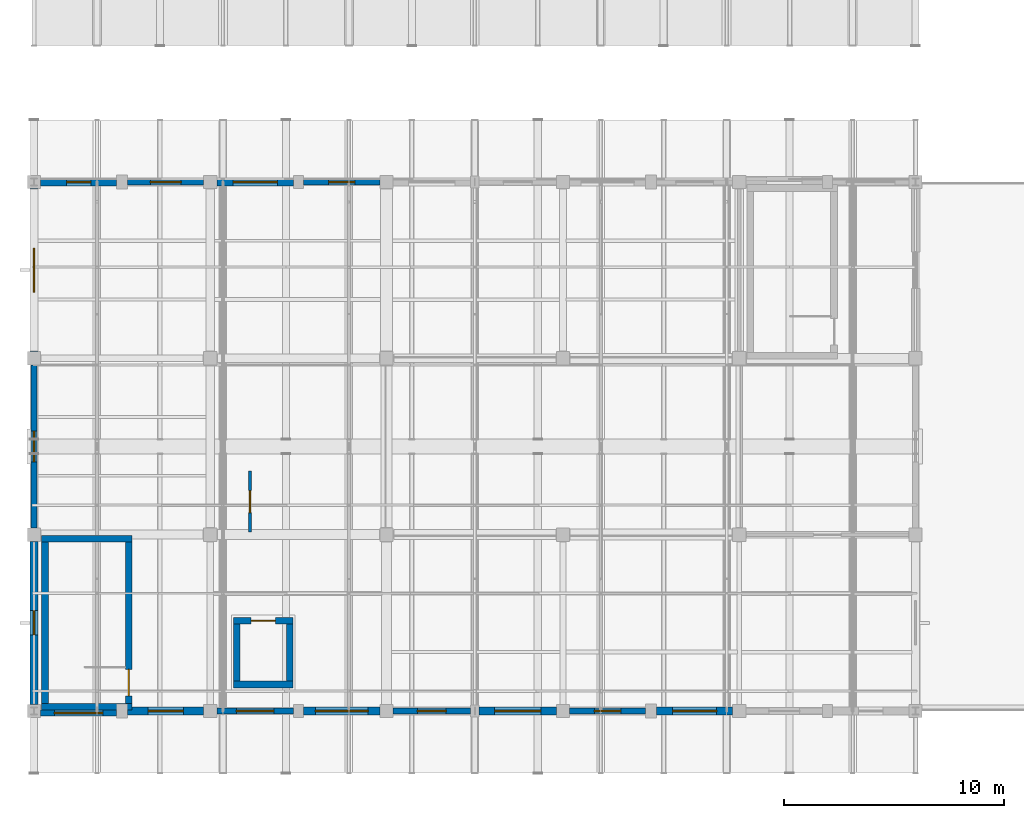
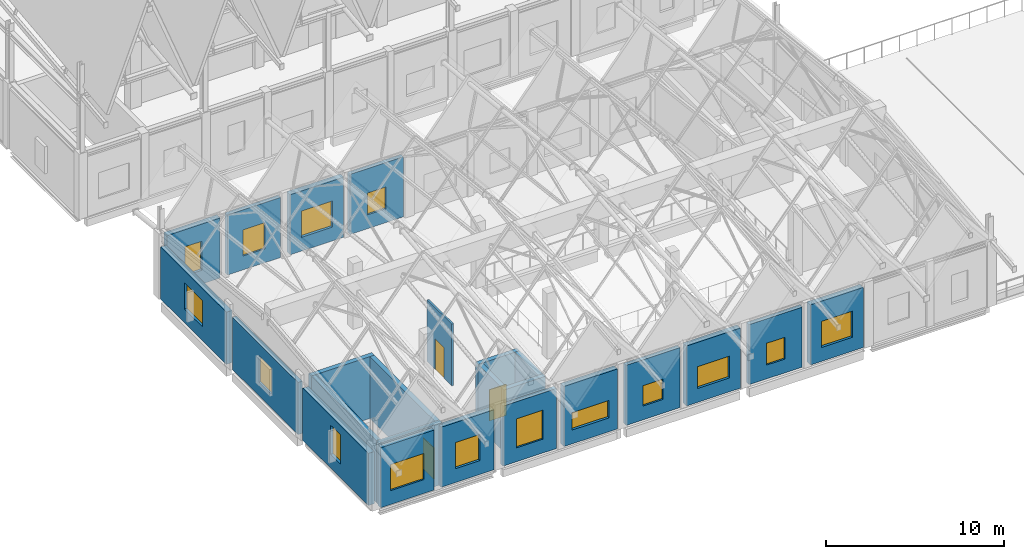
# One storey, part 40 of 77: 24 walls, 15 windows, 3 doors, 18 openings.
"""IFC4 building model written with IfcOpenShell, lengths in metres."""

from ifc_helpers import new_model, si_unit, direction, frame, frame_2d, origin, place, context, subcontext, project, spatial, rectangle, extrude, material, layer, layer_set, type_object, element, fill, save


model = new_model("IFC4")

# Units and contexts
model_context = context("Model", 3, precision=1e-05, world=origin(), true_north=direction((0.0, 1.0)))
body_context = subcontext(model_context, "Body", "Model", "MODEL_VIEW")
ifc_project = project(units=[si_unit("LENGTHUNIT", "METRE"), si_unit("AREAUNIT", "SQUARE_METRE"), si_unit("VOLUMEUNIT", "CUBIC_METRE"), si_unit("PLANEANGLEUNIT", "RADIAN"), si_unit("MASSUNIT", "GRAM", prefix="KILO")], contexts=[model_context])

# Site, building, storey
site_placement = place(None, origin())
site = spatial("IfcSite", under=ifc_project, at=site_placement, CompositionType="ELEMENT")
building_placement = place(site_placement, origin())
building = spatial("IfcBuilding", under=site, at=building_placement, Name="Luwemba Playhouse", CompositionType="ELEMENT")
storey_placement = place(building_placement, frame((0.0, 0.0, 9.300048828125)))
storey = spatial("IfcBuildingStorey", under=building, at=storey_placement, Name="L02", CompositionType="ELEMENT", Elevation=9.300048828125)

# Wall, opening, window
ifc_material_1 = material(Name="Clay facing brick obra vista masonry", Category="masonry")
ifc_layer_1 = layer(ifc_material_1, 0.3798828125)
ifc_layer_set_1 = layer_set([ifc_layer_1], Name="Clay facing brick obra vista masonry")
wall_type_1 = type_object("IfcWallType", Name="WAL-BRK-380", PredefinedType="SOLIDWALL", material=ifc_layer_set_1)
wall_1_placement = place(storey_placement, frame((4.0, 3.300048828125, 0.0), z_axis=(0.0, 0.0, 1.0), x_axis=(0.0, 1.0, 0.0)))
wall_1 = element("IfcWall", 1, at=wall_1_placement, inside=storey, type_object=wall_type_1, Name="L02 V5W exterior facade wall 0351", PredefinedType="SOLIDWALL", context=body_context, shape_type="SweptSolid", body=[
    extrude(rectangle(XDim=7.39990234375, YDim=0.3798828125, at=frame_2d((3.699951171875, 0.0))), origin(), (0.0, 0.0, 1.0), 3.5849609375),
])
opening_1_placement = place(wall_1_placement, frame((3.14990234375, 0.0, 0.949951171875)))
opening_1 = element("IfcOpeningElement", 2, at=opening_1_placement, cuts=wall_1, Name="Opening WN-19", PredefinedType="OPENING", context=body_context, shape_type="SweptSolid", body=[
    extrude(rectangle(XDim=1.10009765625, YDim=2.0, at=frame_2d((0.550048828125, 1.0))), frame((0.0, 0.199951171875, 0.0), z_axis=(0.0, -1.0, 0.0), x_axis=(1.0, 0.0, 0.0)), (0.0, 0.0, 1.0), 0.39990234375),
])
ifc_material_2 = material(Name="Solar-control double glazing in aluminium frame", Category="aluminium")
window_type_1 = type_object("IfcWindowType", Name="WIN-WN-19", PartitioningType="SINGLE_PANEL", PredefinedType="WINDOW", material=ifc_material_2)
window_1_placement = place(opening_1_placement, origin())
window_1 = element("IfcWindow", 3, at=window_1_placement, inside=storey, type_object=window_type_1, Name="L02 V5W scheduled window 0296", OverallHeight=2.0, OverallWidth=1.10009765625, PartitioningType="SINGLE_PANEL", PredefinedType="WINDOW", context=body_context, shape_type="SweptSolid", body=[
    extrude(rectangle(XDim=1.10009765625, YDim=2.0, at=frame_2d((0.550048828125, 1.0))), frame((0.0, 0.030029296875, 0.0), z_axis=(0.0, -1.0, 0.0), x_axis=(1.0, 0.0, 0.0)), (0.0, 0.0, 1.0), 0.06005859375),
])
fill(opening_1, window_1)

wall_2_placement = place(storey_placement, frame((4.0, 19.300048828125, 0.0), z_axis=(0.0, 0.0, 1.0), x_axis=(0.0, 1.0, 0.0)))
wall_2 = element("IfcWall", 4, at=wall_2_placement, inside=storey, type_object=wall_type_1, Name="L02 V5W exterior facade wall 0353", PredefinedType="SOLIDWALL", context=body_context, shape_type="SweptSolid", body=[
    extrude(rectangle(XDim=7.39990234375, YDim=0.3798828125, at=frame_2d((3.699951171875, 0.0))), origin(), (0.0, 0.0, 1.0), 3.5849609375),
])
opening_2_placement = place(wall_2_placement, frame((2.699951171875, 0.0, 0.949951171875)))
opening_2 = element("IfcOpeningElement", 5, at=opening_2_placement, cuts=wall_2, Name="Opening WN-05", PredefinedType="OPENING", context=body_context, shape_type="SweptSolid", body=[
    extrude(rectangle(XDim=2.0, YDim=1.800048828125, at=frame_2d((1.0, 0.89990234375))), frame((0.0, 0.199951171875, 0.0), z_axis=(0.0, -1.0, 0.0), x_axis=(1.0, 0.0, 0.0)), (0.0, 0.0, 1.0), 0.39990234375),
])
window_type_2 = type_object("IfcWindowType", Name="WIN-WN-05", PartitioningType="TRIPLE_PANEL_VERTICAL", PredefinedType="WINDOW", material=ifc_material_2)
window_2_placement = place(opening_2_placement, origin())
window_2 = element("IfcWindow", 6, at=window_2_placement, inside=storey, type_object=window_type_2, Name="L02 V5W scheduled window 0298", OverallHeight=1.800048828125, OverallWidth=2.0, PartitioningType="TRIPLE_PANEL_VERTICAL", PredefinedType="WINDOW", context=body_context, shape_type="SweptSolid", body=[
    extrude(rectangle(XDim=2.0, YDim=1.800048828125, at=frame_2d((1.0, 0.89990234375))), frame((0.0, 0.030029296875, 0.0), z_axis=(0.0, -1.0, 0.0), x_axis=(1.0, 0.0, 0.0)), (0.0, 0.0, 1.0), 0.06005859375),
])
fill(opening_2, window_2)

wall_3_placement = place(storey_placement, frame((4.300048828125, 27.0, 0.0), z_axis=(0.0, 0.0, 1.0), x_axis=(1.0, 0.0, 0.0)))
wall_3 = element("IfcWall", 7, at=wall_3_placement, inside=storey, type_object=wall_type_1, Name="L02 V5W exterior facade wall 0354", PredefinedType="SOLIDWALL", context=body_context, shape_type="SweptSolid", body=[
    extrude(rectangle(XDim=3.449951171875, YDim=0.3798828125, at=frame_2d((1.72509765625, 0.0))), origin(), (0.0, 0.0, 1.0), 4.125),
])
opening_3_placement = place(wall_3_placement, frame((1.175048828125, 0.0, 0.949951171875)))
opening_3 = element("IfcOpeningElement", 8, at=opening_3_placement, cuts=wall_3, Name="Opening WN-19", PredefinedType="OPENING", context=body_context, shape_type="SweptSolid", body=[
    extrude(rectangle(XDim=1.10009765625, YDim=2.0, at=frame_2d((0.550048828125, 1.0))), frame((0.0, 0.199951171875, 0.0), z_axis=(0.0, -1.0, 0.0), x_axis=(1.0, 0.0, 0.0)), (0.0, 0.0, 1.0), 0.39990234375),
])
window_3_placement = place(opening_3_placement, origin())
window_3 = element("IfcWindow", 9, at=window_3_placement, inside=storey, type_object=window_type_1, Name="L02 V5W scheduled window 0299", OverallHeight=2.0, OverallWidth=1.10009765625, PartitioningType="SINGLE_PANEL", PredefinedType="WINDOW", context=body_context, shape_type="SweptSolid", body=[
    extrude(rectangle(XDim=1.10009765625, YDim=2.0, at=frame_2d((0.550048828125, 1.0))), frame((0.0, 0.030029296875, 0.0), z_axis=(0.0, -1.0, 0.0), x_axis=(1.0, 0.0, 0.0)), (0.0, 0.0, 1.0), 0.06005859375),
])
fill(opening_3, window_3)

wall_4_placement = place(storey_placement, frame((12.300048828125, 27.0, 0.0), z_axis=(0.0, 0.0, 1.0), x_axis=(1.0, 0.0, 0.0)))
wall_4 = element("IfcWall", 10, at=wall_4_placement, inside=storey, type_object=wall_type_1, Name="L02 V5W exterior facade wall 0356", PredefinedType="SOLIDWALL", context=body_context, shape_type="SweptSolid", body=[
    extrude(rectangle(XDim=3.474853515625, YDim=0.3798828125, at=frame_2d((1.7373046875, 0.0))), origin(), (0.0, 0.0, 1.0), 4.125),
])
opening_4_placement = place(wall_4_placement, frame((0.737548828125, 0.0, 0.949951171875)))
opening_4 = element("IfcOpeningElement", 11, at=opening_4_placement, cuts=wall_4, Name="Opening WN-05", PredefinedType="OPENING", context=body_context, shape_type="SweptSolid", body=[
    extrude(rectangle(XDim=2.0, YDim=1.800048828125, at=frame_2d((1.0, 0.89990234375))), frame((0.0, 0.199951171875, 0.0), z_axis=(0.0, -1.0, 0.0), x_axis=(1.0, 0.0, 0.0)), (0.0, 0.0, 1.0), 0.39990234375),
])
window_4_placement = place(opening_4_placement, origin())
window_4 = element("IfcWindow", 12, at=window_4_placement, inside=storey, type_object=window_type_2, Name="L02 V5W scheduled window 0301", OverallHeight=1.800048828125, OverallWidth=2.0, PartitioningType="TRIPLE_PANEL_VERTICAL", PredefinedType="WINDOW", context=body_context, shape_type="SweptSolid", body=[
    extrude(rectangle(XDim=2.0, YDim=1.800048828125, at=frame_2d((1.0, 0.89990234375))), frame((0.0, 0.030029296875, 0.0), z_axis=(0.0, -1.0, 0.0), x_axis=(1.0, 0.0, 0.0)), (0.0, 0.0, 1.0), 0.06005859375),
])
fill(opening_4, window_4)

wall_5_placement = place(storey_placement, frame((35.699951171875, 3.0, 0.0), z_axis=(0.0, 0.0, 1.0), x_axis=(-1.0, 0.0, 0.0)))
wall_5 = element("IfcWall", 13, at=wall_5_placement, inside=storey, type_object=wall_type_1, Name="L02 V5W exterior facade wall 0369", PredefinedType="SOLIDWALL", context=body_context, shape_type="SweptSolid", body=[
    extrude(rectangle(XDim=3.449951171875, YDim=0.3798828125, at=frame_2d((1.72509765625, 0.0))), origin(), (0.0, 0.0, 1.0), 4.125),
])
opening_5_placement = place(wall_5_placement, frame((0.72509765625, 0.0, 0.949951171875)))
opening_5 = element("IfcOpeningElement", 14, at=opening_5_placement, cuts=wall_5, Name="Opening WN-05", PredefinedType="OPENING", context=body_context, shape_type="SweptSolid", body=[
    extrude(rectangle(XDim=2.0, YDim=1.800048828125, at=frame_2d((1.0, 0.89990234375))), frame((0.0, 0.199951171875, 0.0), z_axis=(0.0, -1.0, 0.0), x_axis=(1.0, 0.0, 0.0)), (0.0, 0.0, 1.0), 0.39990234375),
])
window_5_placement = place(opening_5_placement, origin())
window_5 = element("IfcWindow", 15, at=window_5_placement, inside=storey, type_object=window_type_2, Name="L02 V5W scheduled window 0313", OverallHeight=1.800048828125, OverallWidth=2.0, PartitioningType="TRIPLE_PANEL_VERTICAL", PredefinedType="WINDOW", context=body_context, shape_type="SweptSolid", body=[
    extrude(rectangle(XDim=2.0, YDim=1.800048828125, at=frame_2d((1.0, 0.89990234375))), frame((0.0, 0.030029296875, 0.0), z_axis=(0.0, -1.0, 0.0), x_axis=(1.0, 0.0, 0.0)), (0.0, 0.0, 1.0), 0.06005859375),
])
fill(opening_5, window_5)

wall_6_placement = place(storey_placement, frame((27.699951171875, 3.0, 0.0), z_axis=(0.0, 0.0, 1.0), x_axis=(-1.0, 0.0, 0.0)))
wall_6 = element("IfcWall", 16, at=wall_6_placement, inside=storey, type_object=wall_type_1, Name="L02 V5W exterior facade wall 0371", PredefinedType="SOLIDWALL", context=body_context, shape_type="SweptSolid", body=[
    extrude(rectangle(XDim=3.5, YDim=0.3798828125, at=frame_2d((1.75, 0.0))), origin(), (0.0, 0.0, 1.0), 4.125),
])
opening_6_placement = place(wall_6_placement, frame((0.699951171875, 0.0, 0.949951171875)))
opening_6 = element("IfcOpeningElement", 17, at=opening_6_placement, cuts=wall_6, Name="Opening WN-11", PredefinedType="OPENING", context=body_context, shape_type="SweptSolid", body=[
    extrude(rectangle(XDim=2.10009765625, YDim=1.5, at=frame_2d((1.050048828125, 0.75))), frame((0.0, 0.199951171875, 0.0), z_axis=(0.0, -1.0, 0.0), x_axis=(1.0, 0.0, 0.0)), (0.0, 0.0, 1.0), 0.39990234375),
])
window_type_3 = type_object("IfcWindowType", Name="WIN-WN-11", PartitioningType="TRIPLE_PANEL_VERTICAL", PredefinedType="WINDOW", material=ifc_material_2)
window_6_placement = place(opening_6_placement, origin())
window_6 = element("IfcWindow", 18, at=window_6_placement, inside=storey, type_object=window_type_3, Name="L02 V5W scheduled window 0315", OverallHeight=1.5, OverallWidth=2.10009765625, PartitioningType="TRIPLE_PANEL_VERTICAL", PredefinedType="WINDOW", context=body_context, shape_type="SweptSolid", body=[
    extrude(rectangle(XDim=2.10009765625, YDim=1.5, at=frame_2d((1.050048828125, 0.75))), frame((0.0, 0.030029296875, 0.0), z_axis=(0.0, -1.0, 0.0), x_axis=(1.0, 0.0, 0.0)), (0.0, 0.0, 1.0), 0.06005859375),
])
fill(opening_6, window_6)

wall_7_placement = place(storey_placement, frame((19.699951171875, 3.0, 0.0), z_axis=(0.0, 0.0, 1.0), x_axis=(-1.0, 0.0, 0.0)))
wall_7 = element("IfcWall", 19, at=wall_7_placement, inside=storey, type_object=wall_type_1, Name="L02 V5W exterior facade wall 0373", PredefinedType="SOLIDWALL", context=body_context, shape_type="SweptSolid", body=[
    extrude(rectangle(XDim=3.474853515625, YDim=0.3798828125, at=frame_2d((1.7373046875, 0.0))), origin(), (0.0, 0.0, 1.0), 4.125),
])
opening_7_placement = place(wall_7_placement, frame((0.53759765625, 0.0, 0.949951171875)))
opening_7 = element("IfcOpeningElement", 20, at=opening_7_placement, cuts=wall_7, Name="Opening WN-17", PredefinedType="OPENING", context=body_context, shape_type="SweptSolid", body=[
    extrude(rectangle(XDim=2.39990234375, YDim=1.199951171875, at=frame_2d((1.199951171875, 0.60009765625))), frame((0.0, 0.199951171875, 0.0), z_axis=(0.0, -1.0, 0.0), x_axis=(1.0, 0.0, 0.0)), (0.0, 0.0, 1.0), 0.39990234375),
])
window_type_4 = type_object("IfcWindowType", Name="WIN-WN-17", PartitioningType="TRIPLE_PANEL_HORIZONTAL", PredefinedType="WINDOW", material=ifc_material_2)
window_7_placement = place(opening_7_placement, origin())
window_7 = element("IfcWindow", 21, at=window_7_placement, inside=storey, type_object=window_type_4, Name="L02 V5W scheduled window 0317", OverallHeight=1.199951171875, OverallWidth=2.39990234375, PartitioningType="TRIPLE_PANEL_HORIZONTAL", PredefinedType="WINDOW", context=body_context, shape_type="SweptSolid", body=[
    extrude(rectangle(XDim=2.39990234375, YDim=1.199951171875, at=frame_2d((1.199951171875, 0.60009765625))), frame((0.0, 0.030029296875, 0.0), z_axis=(0.0, -1.0, 0.0), x_axis=(1.0, 0.0, 0.0)), (0.0, 0.0, 1.0), 0.06005859375),
])
fill(opening_7, window_7)

wall_8_placement = place(storey_placement, frame((11.699951171875, 3.0, 0.0), z_axis=(0.0, 0.0, 1.0), x_axis=(-1.0, 0.0, 0.0)))
wall_8 = element("IfcWall", 22, at=wall_8_placement, inside=storey, type_object=wall_type_1, Name="L02 V5W exterior facade wall 0375", PredefinedType="SOLIDWALL", context=body_context, shape_type="SweptSolid", body=[
    extrude(rectangle(XDim=3.449951171875, YDim=0.3798828125, at=frame_2d((1.72509765625, 0.0))), origin(), (0.0, 0.0, 1.0), 4.125),
])
opening_8_placement = place(wall_8_placement, frame((0.925048828125, 0.0, 0.949951171875)))
opening_8 = element("IfcOpeningElement", 23, at=opening_8_placement, cuts=wall_8, Name="Opening WN-03", PredefinedType="OPENING", context=body_context, shape_type="SweptSolid", body=[
    extrude(rectangle(XDim=1.60009765625, YDim=1.800048828125, at=frame_2d((0.800048828125, 0.89990234375))), frame((0.0, 0.199951171875, 0.0), z_axis=(0.0, -1.0, 0.0), x_axis=(1.0, 0.0, 0.0)), (0.0, 0.0, 1.0), 0.39990234375),
])
window_type_5 = type_object("IfcWindowType", Name="WIN-WN-03", PartitioningType="DOUBLE_PANEL_VERTICAL", PredefinedType="WINDOW", material=ifc_material_2)
window_8_placement = place(opening_8_placement, origin())
window_8 = element("IfcWindow", 24, at=window_8_placement, inside=storey, type_object=window_type_5, Name="L02 V5W scheduled window 0319", OverallHeight=1.800048828125, OverallWidth=1.60009765625, PartitioningType="DOUBLE_PANEL_VERTICAL", PredefinedType="WINDOW", context=body_context, shape_type="SweptSolid", body=[
    extrude(rectangle(XDim=1.60009765625, YDim=1.800048828125, at=frame_2d((0.800048828125, 0.89990234375))), frame((0.0, 0.030029296875, 0.0), z_axis=(0.0, -1.0, 0.0), x_axis=(1.0, 0.0, 0.0)), (0.0, 0.0, 1.0), 0.06005859375),
])
fill(opening_8, window_8)

# Walls
ifc_material_3 = material(Name="Concrete C40/50", Category="concrete")
ifc_layer_2 = layer(ifc_material_3, 0.300048828125)
ifc_layer_set_2 = layer_set([ifc_layer_2], Name="Concrete C40/50")
wall_type_2 = type_object("IfcWallType", Name="WAL-CORE-300", PredefinedType="SHEAR", material=ifc_layer_set_2)
for number, where, z_axis, x_axis, name in (
    (25, (4.35009765625, 3.18994140625, 0.0), (0.0, 0.0, 1.0), (1.0, 0.0, 0.0), "L02 ST-04 stair core wall S"),
    (26, (8.449951171875, 10.81005859375, 0.0), (0.0, 0.0, 1.0), (-1.0, 0.0, 0.0), "L02 ST-04 stair core wall N"),
):
    element("IfcWall", number, at=place(storey_placement, frame(where, z_axis=z_axis, x_axis=x_axis)), inside=storey, type_object=wall_type_2, Name=name, PredefinedType="SHEAR", context=body_context, shape_type="SweptSolid", body=[
        extrude(rectangle(XDim=4.099853515625, YDim=0.300048828125, at=frame_2d((2.0498046875, 0.0))), origin(), (0.0, 0.0, 1.0), 4.25),
    ])
wall_9_placement = place(storey_placement, frame((4.5, 3.340087890625, 0.0), z_axis=(0.0, 0.0, 1.0), x_axis=(0.0, 1.0, 0.0)))
element("IfcWall", 27, at=wall_9_placement, inside=storey, type_object=wall_type_2, Name="L02 ST-04 stair core wall W", PredefinedType="SHEAR", context=body_context, shape_type="SweptSolid", body=[
    extrude(rectangle(XDim=7.31982421875, YDim=0.300048828125, at=frame_2d((3.659912109375, 0.0))), origin(), (0.0, 0.0, 1.0), 4.25),
])

# Wall, opening, door
wall_10_placement = place(storey_placement, frame((8.300048828125, 3.340087890625, 0.0), z_axis=(0.0, 0.0, 1.0), x_axis=(0.0, 1.0, 0.0)))
wall_10 = element("IfcWall", 28, at=wall_10_placement, inside=storey, type_object=wall_type_2, Name="L02 ST-04 stair core wall E", PredefinedType="SHEAR", context=body_context, shape_type="SweptSolid", body=[
    extrude(rectangle(XDim=7.31982421875, YDim=0.300048828125, at=frame_2d((3.659912109375, 0.0))), origin(), (0.0, 0.0, 1.0), 4.25),
])
opening_9_placement = place(wall_10_placement, frame((0.35009765625, 0.0, 0.0)))
opening_9 = element("IfcOpeningElement", 29, at=opening_9_placement, cuts=wall_10, Name="Opening D-STAIR3", PredefinedType="OPENING", context=body_context, shape_type="SweptSolid", body=[
    extrude(rectangle(XDim=1.199951171875, YDim=2.14990234375, at=frame_2d((0.60009765625, 1.074951171875))), frame((0.0, 0.159912109375, 0.0), z_axis=(0.0, -1.0, 0.0), x_axis=(1.0, 0.0, 0.0)), (0.0, 0.0, 1.0), 0.320068359375),
])
ifc_material_4 = material(Name="Hardwood acoustic fire door leaf", Category="wood")
door_type_1 = type_object("IfcDoorType", Name="DR-STAIR-120", OperationType="NOTDEFINED", PredefinedType="DOOR", material=ifc_material_4)
door_1_placement = place(opening_9_placement, origin())
door_1 = element("IfcDoor", 30, at=door_1_placement, inside=storey, type_object=door_type_1, Name="L02 ST-04 protected stair entry door", OperationType="SINGLE_SWING_RIGHT", OverallHeight=2.14990234375, OverallWidth=1.199951171875, PredefinedType="DOOR", context=body_context, shape_type="SweptSolid", body=[
    extrude(rectangle(XDim=1.199951171875, YDim=2.14990234375, at=frame_2d((0.60009765625, 1.074951171875))), frame((0.0, 0.02490234375, 0.0), z_axis=(0.0, -1.0, 0.0), x_axis=(1.0, 0.0, 0.0)), (0.0, 0.0, 1.0), 0.050048828125),
])
fill(opening_9, door_1)

# Wall
wall_11_placement = place(storey_placement, frame((13.050048828125, 4.199951171875, 0.0), z_axis=(0.0, 0.0, 1.0), x_axis=(1.0, 0.0, 0.0)))
element("IfcWall", 31, at=wall_11_placement, inside=storey, type_object=wall_type_2, Name="L02 Lift LF-P4 shaft wall S", PredefinedType="SHEAR", context=body_context, shape_type="SweptSolid", body=[
    extrude(rectangle(XDim=2.699951171875, YDim=0.300048828125, at=frame_2d((1.35009765625, 0.0))), origin(), (0.0, 0.0, 1.0), 4.25),
])

# Wall, opening, door
wall_12_placement = place(storey_placement, frame((15.75, 7.10009765625, 0.0), z_axis=(0.0, 0.0, 1.0), x_axis=(-1.0, 0.0, 0.0)))
wall_12 = element("IfcWall", 32, at=wall_12_placement, inside=storey, type_object=wall_type_2, Name="L02 Lift LF-P4 shaft wall N", PredefinedType="SHEAR", context=body_context, shape_type="SweptSolid", body=[
    extrude(rectangle(XDim=2.699951171875, YDim=0.300048828125, at=frame_2d((1.35009765625, 0.0))), origin(), (0.0, 0.0, 1.0), 4.25),
])
opening_10_placement = place(wall_12_placement, frame((0.800048828125, 0.0, 0.0)))
opening_10 = element("IfcOpeningElement", 33, at=opening_10_placement, cuts=wall_12, Name="Opening LD-01", PredefinedType="OPENING", context=body_context, shape_type="SweptSolid", body=[
    extrude(rectangle(XDim=1.10009765625, YDim=2.14990234375, at=frame_2d((0.550048828125, 1.074951171875))), frame((0.0, 0.159912109375, 0.0), z_axis=(0.0, -1.0, 0.0), x_axis=(1.0, 0.0, 0.0)), (0.0, 0.0, 1.0), 0.320068359375),
])
ifc_material_5 = material(Name="Stainless steel lift landing doors", Category="steel")
door_type_2 = type_object("IfcDoorType", Name="DR-LIFT-110", OperationType="NOTDEFINED", PredefinedType="DOOR", material=ifc_material_5)
door_2_placement = place(opening_10_placement, origin())
door_2 = element("IfcDoor", 34, at=door_2_placement, inside=storey, type_object=door_type_2, Name="L02 Lift LF-P4 landing door", OperationType="DOUBLE_DOOR_SLIDING", OverallHeight=2.14990234375, OverallWidth=1.10009765625, PredefinedType="DOOR", context=body_context, shape_type="SweptSolid", body=[
    extrude(rectangle(XDim=1.10009765625, YDim=2.14990234375, at=frame_2d((0.550048828125, 1.074951171875))), frame((0.0, 0.02490234375, 0.0), z_axis=(0.0, -1.0, 0.0), x_axis=(1.0, 0.0, 0.0)), (0.0, 0.0, 1.0), 0.050048828125),
])
fill(opening_10, door_2)

# Walls
for number, where, z_axis, x_axis, name in (
    (35, (13.199951171875, 4.35009765625, 0.0), (0.0, 0.0, 1.0), (0.0, 1.0, 0.0), "L02 Lift LF-P4 shaft wall W"),
    (36, (15.60009765625, 6.949951171875, 0.0), (0.0, 0.0, 1.0), (0.0, -1.0, 0.0), "L02 Lift LF-P4 shaft wall E"),
):
    element("IfcWall", number, at=place(storey_placement, frame(where, z_axis=z_axis, x_axis=x_axis)), inside=storey, type_object=wall_type_2, Name=name, PredefinedType="SHEAR", context=body_context, shape_type="SweptSolid", body=[
        extrude(rectangle(XDim=2.599853515625, YDim=0.300048828125, at=frame_2d((1.2998046875, 0.0))), origin(), (0.0, 0.0, 1.0), 4.25),
    ])

# Wall, opening, door
ifc_material_6 = material(Name="Moisture-resistant sanitary partition", Category="gypsum")
ifc_layer_3 = layer(ifc_material_6, 0.1201171875)
ifc_layer_set_3 = layer_set([ifc_layer_3], Name="Moisture-resistant sanitary partition")
wall_type_3 = type_object("IfcWallType", Name="WAL-INT-120", PredefinedType="PARTITIONING", material=ifc_layer_set_3)
wall_13_placement = place(storey_placement, frame((13.800048828125, 11.1201171875, 0.0), z_axis=(0.0, 0.0, 1.0), x_axis=(0.0, 1.0, 0.0)))
wall_13 = element("IfcWall", 37, at=wall_13_placement, inside=storey, type_object=wall_type_3, Name="L02 V5W interior partition 0188", PredefinedType="PARTITIONING", context=body_context, shape_type="SweptSolid", body=[
    extrude(rectangle(XDim=2.759765625, YDim=0.1201171875, at=frame_2d((1.3798828125, 0.0))), origin(), (0.0, 0.0, 1.0), 4.25),
])
opening_11_placement = place(wall_13_placement, frame((0.8798828125, 0.0, 0.0)))
opening_11 = element("IfcOpeningElement", 38, at=opening_11_placement, cuts=wall_13, Name="Opening D-AWC", PredefinedType="OPENING", context=body_context, shape_type="SweptSolid", body=[
    extrude(rectangle(XDim=1.0, YDim=2.10009765625, at=frame_2d((0.5, 1.050048828125))), frame((0.0, 0.070068359375, 0.0), z_axis=(0.0, -1.0, 0.0), x_axis=(1.0, 0.0, 0.0)), (0.0, 0.0, 1.0), 0.14013671875),
])
ifc_material_7 = material(Name="Accessible WC outward-assisted timber door", Category="wood")
door_type_3 = type_object("IfcDoorType", Name="DR-AWC-100", OperationType="NOTDEFINED", PredefinedType="DOOR", material=ifc_material_7)
door_3_placement = place(opening_11_placement, origin())
door_3 = element("IfcDoor", 39, at=door_3_placement, inside=storey, type_object=door_type_3, Name="L02 Belvedere Salon Public Toilets to Belvedere Salon Accessible WC door", OperationType="SINGLE_SWING_LEFT", OverallHeight=2.10009765625, OverallWidth=1.0, PredefinedType="DOOR", context=body_context, shape_type="SweptSolid", body=[
    extrude(rectangle(XDim=1.0, YDim=2.10009765625, at=frame_2d((0.5, 1.050048828125))), frame((0.0, 0.02490234375, 0.0), z_axis=(0.0, -1.0, 0.0), x_axis=(1.0, 0.0, 0.0)), (0.0, 0.0, 1.0), 0.050048828125),
])
fill(opening_11, door_3)

# Wall, opening, window
ifc_material_8 = material(Name="Structural timber GL24h infill", Category="wood")
ifc_layer_4 = layer(ifc_material_8, 0.280029296875)
ifc_layer_set_4 = layer_set([ifc_layer_4], Name="Structural timber GL24h infill")
wall_type_4 = type_object("IfcWallType", Name="WAL-TIM-280", PredefinedType="SOLIDWALL", material=ifc_layer_set_4)
wall_14_placement = place(storey_placement, frame((4.0, 11.300048828125, 0.0), z_axis=(0.0, 0.0, 1.0), x_axis=(0.0, 1.0, 0.0)))
wall_14 = element("IfcWall", 40, at=wall_14_placement, inside=storey, type_object=wall_type_4, Name="L02 V5W exterior facade wall 0352", PredefinedType="SOLIDWALL", context=body_context, shape_type="SweptSolid", body=[
    extrude(rectangle(XDim=7.39990234375, YDim=0.280029296875, at=frame_2d((3.699951171875, 0.0))), origin(), (0.0, 0.0, 1.0), 3.5849609375),
])
opening_12_placement = place(wall_14_placement, frame((3.0, 0.0, 0.949951171875)))
opening_12 = element("IfcOpeningElement", 41, at=opening_12_placement, cuts=wall_14, Name="Opening WN-02", PredefinedType="OPENING", context=body_context, shape_type="SweptSolid", body=[
    extrude(rectangle(XDim=1.39990234375, YDim=1.800048828125, at=frame_2d((0.699951171875, 0.89990234375))), frame((0.0, 0.14990234375, 0.0), z_axis=(0.0, -1.0, 0.0), x_axis=(1.0, 0.0, 0.0)), (0.0, 0.0, 1.0), 0.300048828125),
])
window_type_6 = type_object("IfcWindowType", Name="WIN-WN-02", PartitioningType="DOUBLE_PANEL_VERTICAL", PredefinedType="WINDOW", material=ifc_material_2)
window_9_placement = place(opening_12_placement, origin())
window_9 = element("IfcWindow", 42, at=window_9_placement, inside=storey, type_object=window_type_6, Name="L02 V5W scheduled window 0297", OverallHeight=1.800048828125, OverallWidth=1.39990234375, PartitioningType="DOUBLE_PANEL_VERTICAL", PredefinedType="WINDOW", context=body_context, shape_type="SweptSolid", body=[
    extrude(rectangle(XDim=1.39990234375, YDim=1.800048828125, at=frame_2d((0.699951171875, 0.89990234375))), frame((0.0, 0.030029296875, 0.0), z_axis=(0.0, -1.0, 0.0), x_axis=(1.0, 0.0, 0.0)), (0.0, 0.0, 1.0), 0.06005859375),
])
fill(opening_12, window_9)

wall_15_placement = place(storey_placement, frame((8.25, 27.0, 0.0), z_axis=(0.0, 0.0, 1.0), x_axis=(1.0, 0.0, 0.0)))
wall_15 = element("IfcWall", 43, at=wall_15_placement, inside=storey, type_object=wall_type_4, Name="L02 V5W exterior facade wall 0355", PredefinedType="SOLIDWALL", context=body_context, shape_type="SweptSolid", body=[
    extrude(rectangle(XDim=3.449951171875, YDim=0.280029296875, at=frame_2d((1.72509765625, 0.0))), origin(), (0.0, 0.0, 1.0), 4.125),
])
opening_13_placement = place(wall_15_placement, frame((1.02490234375, 0.0, 0.949951171875)))
opening_13 = element("IfcOpeningElement", 44, at=opening_13_placement, cuts=wall_15, Name="Opening WN-02", PredefinedType="OPENING", context=body_context, shape_type="SweptSolid", body=[
    extrude(rectangle(XDim=1.39990234375, YDim=1.800048828125, at=frame_2d((0.699951171875, 0.89990234375))), frame((0.0, 0.14990234375, 0.0), z_axis=(0.0, -1.0, 0.0), x_axis=(1.0, 0.0, 0.0)), (0.0, 0.0, 1.0), 0.300048828125),
])
window_10_placement = place(opening_13_placement, origin())
window_10 = element("IfcWindow", 45, at=window_10_placement, inside=storey, type_object=window_type_6, Name="L02 V5W scheduled window 0300", OverallHeight=1.800048828125, OverallWidth=1.39990234375, PartitioningType="DOUBLE_PANEL_VERTICAL", PredefinedType="WINDOW", context=body_context, shape_type="SweptSolid", body=[
    extrude(rectangle(XDim=1.39990234375, YDim=1.800048828125, at=frame_2d((0.699951171875, 0.89990234375))), frame((0.0, 0.030029296875, 0.0), z_axis=(0.0, -1.0, 0.0), x_axis=(1.0, 0.0, 0.0)), (0.0, 0.0, 1.0), 0.06005859375),
])
fill(opening_13, window_10)

wall_16_placement = place(storey_placement, frame((16.22509765625, 27.0, 0.0), z_axis=(0.0, 0.0, 1.0), x_axis=(1.0, 0.0, 0.0)))
wall_16 = element("IfcWall", 46, at=wall_16_placement, inside=storey, type_object=wall_type_4, Name="L02 V5W exterior facade wall 0357", PredefinedType="SOLIDWALL", context=body_context, shape_type="SweptSolid", body=[
    extrude(rectangle(XDim=3.474853515625, YDim=0.280029296875, at=frame_2d((1.7373046875, 0.0))), origin(), (0.0, 0.0, 1.0), 4.125),
])
opening_14_placement = place(wall_16_placement, frame((1.137451171875, 0.0, 0.949951171875)))
opening_14 = element("IfcOpeningElement", 47, at=opening_14_placement, cuts=wall_16, Name="Opening WN-08", PredefinedType="OPENING", context=body_context, shape_type="SweptSolid", body=[
    extrude(rectangle(XDim=1.199951171875, YDim=1.5, at=frame_2d((0.60009765625, 0.75))), frame((0.0, 0.14990234375, 0.0), z_axis=(0.0, -1.0, 0.0), x_axis=(1.0, 0.0, 0.0)), (0.0, 0.0, 1.0), 0.300048828125),
])
window_type_7 = type_object("IfcWindowType", Name="WIN-WN-08", PartitioningType="SINGLE_PANEL", PredefinedType="WINDOW", material=ifc_material_2)
window_11_placement = place(opening_14_placement, origin())
window_11 = element("IfcWindow", 48, at=window_11_placement, inside=storey, type_object=window_type_7, Name="L02 V5W scheduled window 0302", OverallHeight=1.5, OverallWidth=1.199951171875, PartitioningType="SINGLE_PANEL", PredefinedType="WINDOW", context=body_context, shape_type="SweptSolid", body=[
    extrude(rectangle(XDim=1.199951171875, YDim=1.5, at=frame_2d((0.60009765625, 0.75))), frame((0.0, 0.030029296875, 0.0), z_axis=(0.0, -1.0, 0.0), x_axis=(1.0, 0.0, 0.0)), (0.0, 0.0, 1.0), 0.06005859375),
])
fill(opening_14, window_11)

wall_17_placement = place(storey_placement, frame((31.75, 3.0, 0.0), z_axis=(0.0, 0.0, 1.0), x_axis=(-1.0, 0.0, 0.0)))
wall_17 = element("IfcWall", 49, at=wall_17_placement, inside=storey, type_object=wall_type_4, Name="L02 V5W exterior facade wall 0370", PredefinedType="SOLIDWALL", context=body_context, shape_type="SweptSolid", body=[
    extrude(rectangle(XDim=3.449951171875, YDim=0.280029296875, at=frame_2d((1.72509765625, 0.0))), origin(), (0.0, 0.0, 1.0), 4.125),
])
opening_15_placement = place(wall_17_placement, frame((1.125, 0.0, 0.949951171875)))
opening_15 = element("IfcOpeningElement", 50, at=opening_15_placement, cuts=wall_17, Name="Opening WN-08", PredefinedType="OPENING", context=body_context, shape_type="SweptSolid", body=[
    extrude(rectangle(XDim=1.199951171875, YDim=1.5, at=frame_2d((0.60009765625, 0.75))), frame((0.0, 0.14990234375, 0.0), z_axis=(0.0, -1.0, 0.0), x_axis=(1.0, 0.0, 0.0)), (0.0, 0.0, 1.0), 0.300048828125),
])
window_12_placement = place(opening_15_placement, origin())
window_12 = element("IfcWindow", 51, at=window_12_placement, inside=storey, type_object=window_type_7, Name="L02 V5W scheduled window 0314", OverallHeight=1.5, OverallWidth=1.199951171875, PartitioningType="SINGLE_PANEL", PredefinedType="WINDOW", context=body_context, shape_type="SweptSolid", body=[
    extrude(rectangle(XDim=1.199951171875, YDim=1.5, at=frame_2d((0.60009765625, 0.75))), frame((0.0, 0.030029296875, 0.0), z_axis=(0.0, -1.0, 0.0), x_axis=(1.0, 0.0, 0.0)), (0.0, 0.0, 1.0), 0.06005859375),
])
fill(opening_15, window_12)

wall_18_placement = place(storey_placement, frame((23.800048828125, 3.0, 0.0), z_axis=(0.0, 0.0, 1.0), x_axis=(-1.0, 0.0, 0.0)))
wall_18 = element("IfcWall", 52, at=wall_18_placement, inside=storey, type_object=wall_type_4, Name="L02 V5W exterior facade wall 0372", PredefinedType="SOLIDWALL", context=body_context, shape_type="SweptSolid", body=[
    extrude(rectangle(XDim=3.5, YDim=0.280029296875, at=frame_2d((1.75, 0.0))), origin(), (0.0, 0.0, 1.0), 4.125),
])
opening_16_placement = place(wall_18_placement, frame((1.10009765625, 0.0, 0.949951171875)))
opening_16 = element("IfcOpeningElement", 53, at=opening_16_placement, cuts=wall_18, Name="Opening WN-14", PredefinedType="OPENING", context=body_context, shape_type="SweptSolid", body=[
    extrude(rectangle(XDim=1.300048828125, YDim=1.39990234375, at=frame_2d((0.64990234375, 0.699951171875))), frame((0.0, 0.14990234375, 0.0), z_axis=(0.0, -1.0, 0.0), x_axis=(1.0, 0.0, 0.0)), (0.0, 0.0, 1.0), 0.300048828125),
])
window_type_8 = type_object("IfcWindowType", Name="WIN-WN-14", PartitioningType="SINGLE_PANEL", PredefinedType="WINDOW", material=ifc_material_2)
window_13_placement = place(opening_16_placement, origin())
window_13 = element("IfcWindow", 54, at=window_13_placement, inside=storey, type_object=window_type_8, Name="L02 V5W scheduled window 0316", OverallHeight=1.39990234375, OverallWidth=1.300048828125, PartitioningType="SINGLE_PANEL", PredefinedType="WINDOW", context=body_context, shape_type="SweptSolid", body=[
    extrude(rectangle(XDim=1.300048828125, YDim=1.39990234375, at=frame_2d((0.64990234375, 0.699951171875))), frame((0.0, 0.030029296875, 0.0), z_axis=(0.0, -1.0, 0.0), x_axis=(1.0, 0.0, 0.0)), (0.0, 0.0, 1.0), 0.06005859375),
])
fill(opening_16, window_13)

wall_19_placement = place(storey_placement, frame((15.77490234375, 3.0, 0.0), z_axis=(0.0, 0.0, 1.0), x_axis=(-1.0, 0.0, 0.0)))
wall_19 = element("IfcWall", 55, at=wall_19_placement, inside=storey, type_object=wall_type_4, Name="L02 V5W exterior facade wall 0374", PredefinedType="SOLIDWALL", context=body_context, shape_type="SweptSolid", body=[
    extrude(rectangle(XDim=3.474853515625, YDim=0.280029296875, at=frame_2d((1.7373046875, 0.0))), origin(), (0.0, 0.0, 1.0), 4.125),
])
opening_17_placement = place(wall_19_placement, frame((0.887451171875, 0.0, 0.949951171875)))
opening_17 = element("IfcOpeningElement", 56, at=opening_17_placement, cuts=wall_19, Name="Opening WN-20", PredefinedType="OPENING", context=body_context, shape_type="SweptSolid", body=[
    extrude(rectangle(XDim=1.699951171875, YDim=2.0, at=frame_2d((0.85009765625, 1.0))), frame((0.0, 0.14990234375, 0.0), z_axis=(0.0, -1.0, 0.0), x_axis=(1.0, 0.0, 0.0)), (0.0, 0.0, 1.0), 0.300048828125),
])
window_type_9 = type_object("IfcWindowType", Name="WIN-WN-20", PartitioningType="DOUBLE_PANEL_VERTICAL", PredefinedType="WINDOW", material=ifc_material_2)
window_14_placement = place(opening_17_placement, origin())
window_14 = element("IfcWindow", 57, at=window_14_placement, inside=storey, type_object=window_type_9, Name="L02 V5W scheduled window 0318", OverallHeight=2.0, OverallWidth=1.699951171875, PartitioningType="DOUBLE_PANEL_VERTICAL", PredefinedType="WINDOW", context=body_context, shape_type="SweptSolid", body=[
    extrude(rectangle(XDim=1.699951171875, YDim=2.0, at=frame_2d((0.85009765625, 1.0))), frame((0.0, 0.030029296875, 0.0), z_axis=(0.0, -1.0, 0.0), x_axis=(1.0, 0.0, 0.0)), (0.0, 0.0, 1.0), 0.06005859375),
])
fill(opening_17, window_14)

wall_20_placement = place(storey_placement, frame((7.75, 2.909912109375, 0.0), z_axis=(0.0, 0.0, 1.0), x_axis=(-1.0, 0.0, 0.0)))
wall_20 = element("IfcWall", 58, at=wall_20_placement, inside=storey, type_object=wall_type_4, Name="L02 V5W exterior facade wall 0376", PredefinedType="SOLIDWALL", context=body_context, shape_type="SweptSolid", body=[
    extrude(rectangle(XDim=3.449951171875, YDim=0.280029296875, at=frame_2d((1.72509765625, 0.0))), origin(), (0.0, 0.0, 1.0), 4.125),
])
opening_18_placement = place(wall_20_placement, frame((0.625, 0.0, 0.949951171875)))
opening_18 = element("IfcOpeningElement", 59, at=opening_18_placement, cuts=wall_20, Name="Opening WN-06", PredefinedType="OPENING", context=body_context, shape_type="SweptSolid", body=[
    extrude(rectangle(XDim=2.199951171875, YDim=1.800048828125, at=frame_2d((1.10009765625, 0.89990234375))), frame((0.0, 0.14990234375, 0.0), z_axis=(0.0, -1.0, 0.0), x_axis=(1.0, 0.0, 0.0)), (0.0, 0.0, 1.0), 0.300048828125),
])
window_type_10 = type_object("IfcWindowType", Name="WIN-WN-06", PartitioningType="TRIPLE_PANEL_VERTICAL", PredefinedType="WINDOW", material=ifc_material_2)
window_15_placement = place(opening_18_placement, origin())
window_15 = element("IfcWindow", 60, at=window_15_placement, inside=storey, type_object=window_type_10, Name="L02 V5W scheduled window 0320", OverallHeight=1.800048828125, OverallWidth=2.199951171875, PartitioningType="TRIPLE_PANEL_VERTICAL", PredefinedType="WINDOW", context=body_context, shape_type="SweptSolid", body=[
    extrude(rectangle(XDim=2.199951171875, YDim=1.800048828125, at=frame_2d((1.10009765625, 0.89990234375))), frame((0.0, 0.030029296875, 0.0), z_axis=(0.0, -1.0, 0.0), x_axis=(1.0, 0.0, 0.0)), (0.0, 0.0, 1.0), 0.06005859375),
])
fill(opening_18, window_15)

save(model, "model.ifc")
